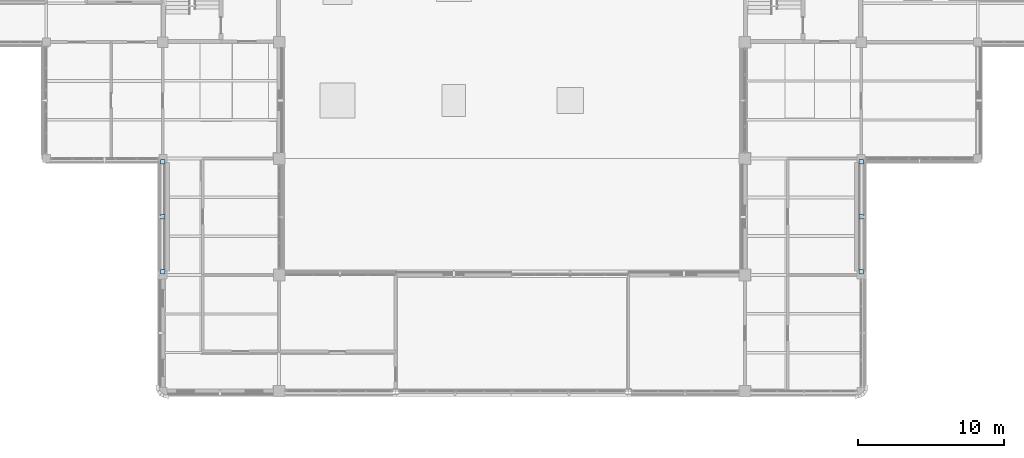
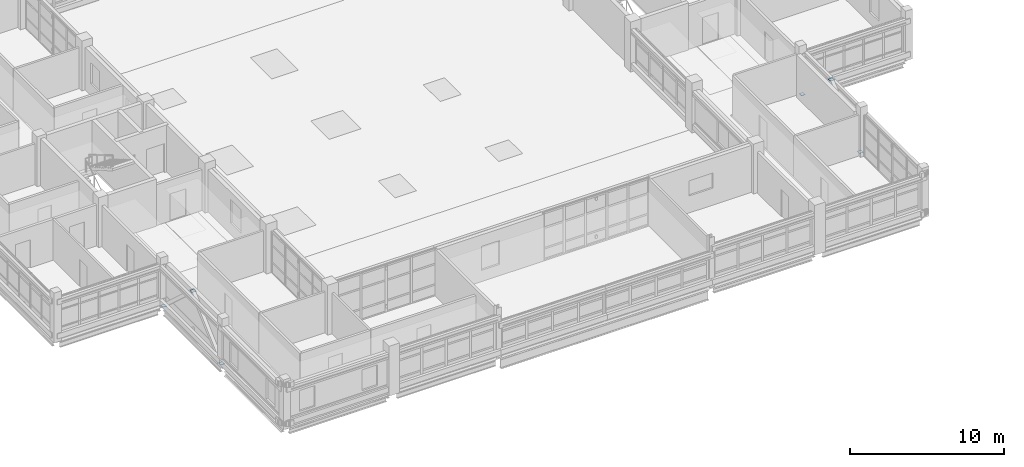
# One storey, part 70 of 107: 6 plates.
"""IFC4 building model written with IfcOpenShell, lengths in metres."""

from ifc_helpers import new_model, si_unit, derived_unit, direction, frame, origin, origin_2d, place, context, subcontext, project, spatial, rectangle, extrude, material, layer, layer_set, type_object, element, save


model = new_model("IFC4")

# Units and contexts
model_context = context("Model", 3, precision=1e-05, world=origin(), true_north=direction((0.0, 1.0)))
body_context = subcontext(model_context, "Body", "Model", "MODEL_VIEW")
ifc_project = project(units=[si_unit("LENGTHUNIT", "METRE"), si_unit("AREAUNIT", "SQUARE_METRE"), si_unit("VOLUMEUNIT", "CUBIC_METRE"), si_unit("PLANEANGLEUNIT", "RADIAN"), si_unit("MASSUNIT", "GRAM", prefix="KILO"), derived_unit("THERMALTRANSMITTANCEUNIT", [(si_unit("MASSUNIT", "GRAM", prefix="KILO"), 1), (si_unit("TIMEUNIT", "SECOND"), -3), (si_unit("THERMODYNAMICTEMPERATUREUNIT", "KELVIN"), -1)])], contexts=[model_context])

# Site, building, storey
site_placement = place(None, origin())
site = spatial("IfcSite", under=ifc_project, at=site_placement, CompositionType="ELEMENT")
building_placement = place(site_placement, origin())
building = spatial("IfcBuilding", under=site, at=building_placement, Name="Veyamyaing Civic Hall", CompositionType="ELEMENT")
storey_placement = place(building_placement, frame((0.0, 0.0, 13.860107421875)))
storey = spatial("IfcBuildingStorey", under=building, at=storey_placement, Name="L03", CompositionType="ELEMENT", Elevation=13.860107421875)

# Plates
ifc_material = material(Name="Steel S355J2", Category="steel")
ifc_layer = layer(ifc_material, 0.02001953125, Name="Steel S355J2")
ifc_layer_set = layer_set([ifc_layer], Name="Steel S355J2")
plate_type = type_object("IfcPlateType", Name="GP-01", PredefinedType="SHEET", material=ifc_layer_set)
for number, where, z_axis, x_axis, name in (
    (1, (64.0, 32.219970703125, 0.039794921875), (0.0, 0.0, 1.0), (1.0, 0.0, 0.0), "Brace base gusset plate GP-01 BF-CW L03.L"),
    (2, (64.0, 39.780029296875, 0.039794921875), (0.0, 0.0, 1.0), (1.0, 0.0, 0.0), "Brace base gusset plate GP-01 BF-CW L03.R"),
    (3, (64.0, 36.0, 3.5), (0.0, 0.0, 1.0), (1.0, 0.0, 0.0), "Brace apex gusset plate GP-01 BF-CW L03"),
    (4, (112.0, 32.219970703125, 0.039794921875), (0.0, 0.0, 1.0), (1.0, 0.0, 0.0), "Brace base gusset plate GP-01 BF-CE L03.L"),
    (5, (112.0, 39.780029296875, 0.039794921875), (0.0, 0.0, 1.0), (1.0, 0.0, 0.0), "Brace base gusset plate GP-01 BF-CE L03.R"),
    (6, (112.0, 36.0, 3.5), (0.0, 0.0, 1.0), (1.0, 0.0, 0.0), "Brace apex gusset plate GP-01 BF-CE L03"),
):
    element("IfcPlate", number, at=place(storey_placement, frame(where, z_axis=z_axis, x_axis=x_axis)), inside=storey, type_object=plate_type, Name=name, PredefinedType="SHEET", context=body_context, shape_type="SweptSolid", body=[
        extrude(rectangle(XDim=0.300048828125, YDim=0.300048828125, at=origin_2d()), origin(), (0.0, 0.0, 1.0), 0.02001953125),
    ])

save(model, "model.ifc")
